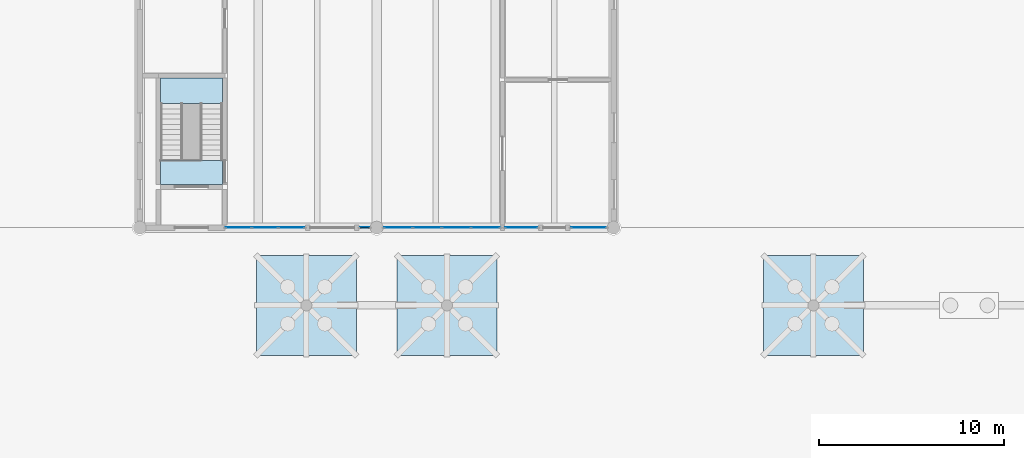
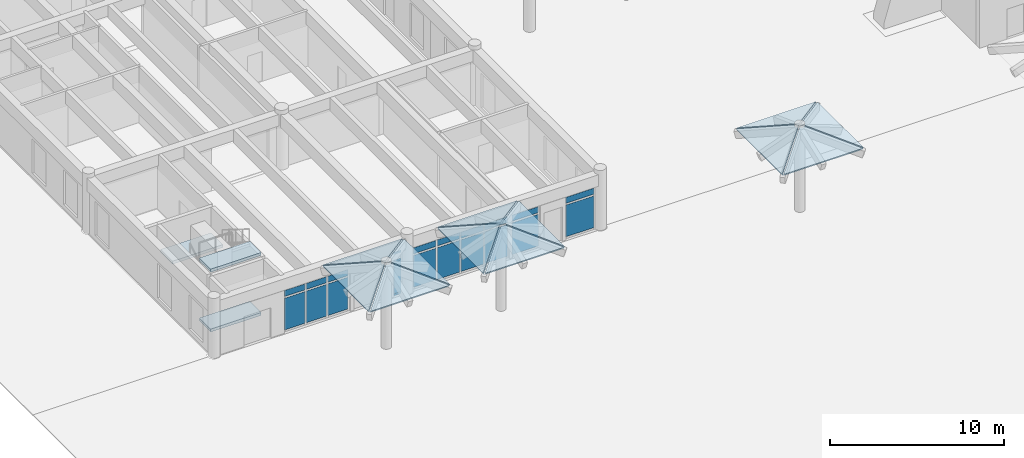
# One storey, part 9 of 28: 19 plates, 15 slabs, 3 members, 6 elements without a shape of their own.
"""IFC4 building model written with IfcOpenShell, lengths in metres."""

from ifc_helpers import new_model, si_unit, direction, frame, origin, origin_2d, place, context, subcontext, project, spatial, polyline, rectangle, outline, extrude, material, layer, layer_set, material_profile, profile_set, type_object, element, aggregate, save


model = new_model("IFC4")

# Units and contexts
model_context = context("Model", 3, precision=1e-05, world=origin(), true_north=direction((0.0, 1.0)))
body_context = subcontext(model_context, "Body", "Model", "MODEL_VIEW")
ifc_project = project(units=[si_unit("LENGTHUNIT", "METRE"), si_unit("AREAUNIT", "SQUARE_METRE"), si_unit("VOLUMEUNIT", "CUBIC_METRE"), si_unit("PLANEANGLEUNIT", "RADIAN"), si_unit("MASSUNIT", "GRAM", prefix="KILO")], contexts=[model_context])

# Site, building, storey
site_placement = place(None, origin())
site = spatial("IfcSite", under=ifc_project, at=site_placement, CompositionType="ELEMENT")
building_placement = place(site_placement, origin())
building = spatial("IfcBuilding", under=site, at=building_placement, Name="Fogon Plaza Fire Station and Headquarters Tower", CompositionType="ELEMENT")
storey_placement = place(building_placement, origin())
storey = spatial("IfcBuildingStorey", under=building, at=storey_placement, Name="L00", CompositionType="ELEMENT", Elevation=0.0)

# Curtain wall, members
ifc_material_1 = material(Name="Aluminium and glass", Category="aluminium")
ifc_layer_1 = layer(ifc_material_1, 0.14990234375)
ifc_layer_set_1 = layer_set([ifc_layer_1], Name="Aluminium and glass")
curtain_wall_type_1 = type_object("IfcCurtainWallType", Name="Unitised Curtain Wall Run 600x3000", PredefinedType="NOTDEFINED", material=ifc_layer_set_1)
curtain_wall_1_placement = place(storey_placement, origin())
curtain_wall_1 = element("IfcCurtainWall", 1, at=curtain_wall_1_placement, inside=storey, type_object=curtain_wall_type_1, Name="CW-600x3000 WS L00", PredefinedType="NOTDEFINED")
ifc_material_2 = material(Name="Aluminium", Category="aluminium")
ifc_material_profile = material_profile(ifc_material_2, rectangle(XDim=0.06005859375, YDim=0.1201171875, at=origin_2d()), Name="Curtain Wall Transom 60x120")
ifc_profile_set = profile_set([ifc_material_profile], Name="Aluminium")
member_type = type_object("IfcMemberType", Name="Curtain Wall Transom 60x120", PredefinedType="USERDEFINED", material=ifc_profile_set)
member_1_placement = place(storey_placement, frame((11.909912109375, 0.0, 0.06005859375), z_axis=(1.0, 0.0, 0.0), x_axis=(0.0, 1.0, 0.0)))
member_1 = element("IfcMember", 2, at=member_1_placement, type_object=member_type, Name="CW-600x3000 transom 1.1", ObjectType="TRANSOM", PredefinedType="USERDEFINED", context=body_context, shape_type="SweptSolid", body=[
    extrude(rectangle(XDim=0.06005859375, YDim=0.1201171875, at=origin_2d()), origin(), (0.0, 0.0, 1.0), 0.47998046875),
])
member_2_placement = place(storey_placement, frame((11.909912109375, 0.0, 2.39990234375), z_axis=(1.0, 0.0, 0.0), x_axis=(0.0, 1.0, 0.0)))
member_2 = element("IfcMember", 3, at=member_2_placement, type_object=member_type, Name="CW-600x3000 transom 1.2", ObjectType="TRANSOM", PredefinedType="USERDEFINED", context=body_context, shape_type="SweptSolid", body=[
    extrude(rectangle(XDim=0.06005859375, YDim=0.1201171875, at=origin_2d()), origin(), (0.0, 0.0, 1.0), 0.47998046875),
])
member_3_placement = place(storey_placement, frame((11.909912109375, 0.0, 2.93994140625), z_axis=(1.0, 0.0, 0.0), x_axis=(0.0, 1.0, 0.0)))
member_3 = element("IfcMember", 4, at=member_3_placement, type_object=member_type, Name="CW-600x3000 transom 1.3", ObjectType="TRANSOM", PredefinedType="USERDEFINED", context=body_context, shape_type="SweptSolid", body=[
    extrude(rectangle(XDim=0.06005859375, YDim=0.1201171875, at=origin_2d()), origin(), (0.0, 0.0, 1.0), 0.47998046875),
])

# Slabs
ifc_material_3 = material(Name="Concrete C40", Category="concrete")
ifc_layer_2 = layer(ifc_material_3, 0.1201171875)
ifc_layer_set_2 = layer_set([ifc_layer_2], Name="Concrete C40")
slab_type_1 = type_object("IfcSlabType", Name="Roof slab 120 R12", PredefinedType="ROOF", material=ifc_layer_set_2)
slab_1_placement = place(storey_placement, frame((6.37060546875, -6.89990234375, 5.0), z_axis=(0.0, -0.347351224218, 0.937735104939), x_axis=(0.684066194854, 0.684002678959, 0.253364907268)))
element("IfcSlab", 5, at=slab_1_placement, inside=storey, type_object=slab_type_1, Name="slab-umb-U1-1", PredefinedType="ROOF", context=body_context, shape_type="SweptSolid", body=[
    extrude(outline(polyline([(0.0, 0.0), (3.843772066254584, 2.7755575615628914e-16), (3.597359823525755, -3.8358655742807746), (0.0, 0.0)])), origin(), (0.0, 0.0, -1.0), 0.1201171875),
])
slab_2_placement = place(storey_placement, frame((11.699951171875, -6.829345703125, 5.0), z_axis=(0.347351224218, 0.0, 0.937735104939), x_axis=(-0.684002678959, 0.684066194854, 0.253364907268)))
element("IfcSlab", 6, at=slab_2_placement, inside=storey, type_object=slab_type_1, Name="slab-umb-U1-2", PredefinedType="ROOF", context=body_context, shape_type="SweptSolid", body=[
    extrude(outline(polyline([(0.0, 0.0), (3.843772066254584, -1.6653345369377348e-16), (3.5971928151774017, -3.8356874932420437), (0.0, 0.0)])), origin(), (0.0, 0.0, -1.0), 0.1201171875),
])
slab_3_placement = place(storey_placement, frame((11.62939453125, -1.5, 5.0), z_axis=(0.0, 0.347322863268, 0.937745609775), x_axis=(-0.684036476126, -0.684036476126, 0.253353900025)))
element("IfcSlab", 7, at=slab_3_placement, inside=storey, type_object=slab_type_1, Name="slab-umb-U1-3", PredefinedType="ROOF", context=body_context, shape_type="SweptSolid", body=[
    extrude(outline(polyline([(0.0, 0.0), (3.8439390632218466, 1.3877787807814457e-16), (3.597203539003341, -3.8360121353889727), (0.0, 0.0)])), origin(), (0.0, 0.0, -1.0), 0.1201171875),
])
slab_4_placement = place(storey_placement, frame((6.300048828125, -1.57080078125, 5.0), z_axis=(-0.347351224218, 0.0, 0.937735104939), x_axis=(0.684032398801, -0.684032398801, 0.253375915945)))
element("IfcSlab", 8, at=slab_4_placement, inside=storey, type_object=slab_type_1, Name="slab-umb-U1-4", PredefinedType="ROOF", context=body_context, shape_type="SweptSolid", body=[
    extrude(outline(polyline([(0.0, 0.0), (3.8436050620316355, -3.3306690738754696e-16), (3.597015097112746, -3.8358541534474866), (0.0, 0.0)])), origin(), (0.0, 0.0, -1.0), 0.1201171875),
])
slab_5_placement = place(storey_placement, frame((13.970703125, -6.89990234375, 5.0), z_axis=(0.0, -0.347351224218, 0.937735104939), x_axis=(0.684066194854, 0.684002678959, 0.253364907268)))
element("IfcSlab", 9, at=slab_5_placement, inside=storey, type_object=slab_type_1, Name="slab-umb-U2-1", PredefinedType="ROOF", context=body_context, shape_type="SweptSolid", body=[
    extrude(outline(polyline([(0.0, 0.0), (3.843772066254584, -1.6653345369377348e-16), (3.5971928151774017, -3.8356874932420437), (0.0, 0.0)])), origin(), (0.0, 0.0, -1.0), 0.1201171875),
])
slab_6_placement = place(storey_placement, frame((19.300048828125, -6.829345703125, 5.0), z_axis=(0.347322863268, 0.0, 0.937745609775), x_axis=(-0.684036476126, 0.684036476126, 0.253353900025)))
element("IfcSlab", 10, at=slab_6_placement, inside=storey, type_object=slab_type_1, Name="slab-umb-U2-2", PredefinedType="ROOF", context=body_context, shape_type="SweptSolid", body=[
    extrude(outline(polyline([(0.0, 0.0), (3.8439390632218466, 1.3877787807814457e-16), (3.597036537910537, -3.835834047546104), (0.0, 0.0)])), origin(), (0.0, 0.0, -1.0), 0.1201171875),
])
for number, where, z_axis, x_axis, name in (
    (11, (19.229248046875, -1.5, 5.0), (0.0, 0.347322863268, 0.937745609775), (-0.684002678959, -0.684066194854, 0.253364907268), "slab-umb-U2-3"),
    (12, (13.89990234375, -1.57080078125, 5.0), (-0.347322863268, 0.0, 0.937745609775), (0.684066194854, -0.684002678959, 0.253364907268), "slab-umb-U2-4"),
):
    element("IfcSlab", number, at=place(storey_placement, frame(where, z_axis=z_axis, x_axis=x_axis)), inside=storey, type_object=slab_type_1, Name=name, PredefinedType="ROOF", context=body_context, shape_type="SweptSolid", body=[
        extrude(outline(polyline([(0.0, 0.0), (3.843772066254584, -3.3306690738754696e-16), (3.596858813987506, -3.836000699637286), (0.0, 0.0)])), origin(), (0.0, 0.0, -1.0), 0.1201171875),
    ])
slab_7_placement = place(storey_placement, frame((33.770751953125, -6.89990234375, 5.0), z_axis=(0.0, -0.347351224218, 0.937735104939), x_axis=(0.684032398801, 0.684032398801, 0.253375915945)))
element("IfcSlab", 13, at=slab_7_placement, inside=storey, type_object=slab_type_1, Name="slab-umb-U3-1", PredefinedType="ROOF", context=body_context, shape_type="SweptSolid", body=[
    extrude(outline(polyline([(0.0, 0.0), (3.8436050620316355, -3.3306690738754696e-16), (3.597015097112746, -3.8358541534474866), (0.0, 0.0)])), origin(), (0.0, 0.0, -1.0), 0.1201171875),
])
for number, where, z_axis, x_axis, name in (
    (14, (39.10009765625, -6.829345703125, 5.0), (0.347322863268, 0.0, 0.937745609775), (-0.684036476126, 0.684036476126, 0.253353900025), "slab-umb-U3-2"),
    (15, (39.029296875, -1.5, 5.0), (0.0, 0.347322863268, 0.937745609775), (-0.684036476126, -0.684036476126, 0.253353900025), "slab-umb-U3-3"),
):
    element("IfcSlab", number, at=place(storey_placement, frame(where, z_axis=z_axis, x_axis=x_axis)), inside=storey, type_object=slab_type_1, Name=name, PredefinedType="ROOF", context=body_context, shape_type="SweptSolid", body=[
        extrude(outline(polyline([(0.0, 0.0), (3.8439390632218466, 1.3877787807814457e-16), (3.597036537910537, -3.835834047546104), (0.0, 0.0)])), origin(), (0.0, 0.0, -1.0), 0.1201171875),
    ])
slab_8_placement = place(storey_placement, frame((33.699951171875, -1.57080078125, 5.0), z_axis=(-0.347322863268, 0.0, 0.937745609775), x_axis=(0.684066194854, -0.684002678959, 0.253364907268)))
element("IfcSlab", 16, at=slab_8_placement, inside=storey, type_object=slab_type_1, Name="slab-umb-U3-4", PredefinedType="ROOF", context=body_context, shape_type="SweptSolid", body=[
    extrude(outline(polyline([(0.0, 0.0), (3.843772066254584, -3.3306690738754696e-16), (3.596858813987506, -3.836000699637286), (0.0, 0.0)])), origin(), (0.0, 0.0, -1.0), 0.1201171875),
])

# Curtain wall, plates
ifc_material_4 = material(Name="Aluminium and glass", Category="aluminium")
ifc_layer_3 = layer(ifc_material_4, 0.14990234375)
ifc_layer_set_3 = layer_set([ifc_layer_3], Name="Aluminium and glass")
curtain_wall_type_2 = type_object("IfcCurtainWallType", Name="Unitised Curtain Wall Run 4350x3000", PredefinedType="NOTDEFINED", material=ifc_layer_set_3)
curtain_wall_2_placement = place(storey_placement, origin())
curtain_wall_2 = element("IfcCurtainWall", 17, at=curtain_wall_2_placement, inside=storey, type_object=curtain_wall_type_2, Name="CW-4350x3000 WS L00", PredefinedType="NOTDEFINED")
ifc_material_5 = material(Name="Low-e double glazing", Category="glass")
ifc_layer_4 = layer(ifc_material_5, 0.028076171875)
ifc_layer_set_4 = layer_set([ifc_layer_4], Name="Low-e double glazing")
plate_type_1 = type_object("IfcPlateType", Name="Vision Glass Panel 1370x2220", PredefinedType="CURTAIN_PANEL", material=ifc_layer_set_4)
plate_1_placement = place(storey_placement, frame((5.344970703125, 0.0, 0.1201171875), z_axis=(0.0, 0.0, 1.0), x_axis=(1.0, 0.0, 0.0)))
plate_1 = element("IfcPlate", 18, at=plate_1_placement, type_object=plate_type_1, Name="VG-1370x2220 panel 1.1", PredefinedType="CURTAIN_PANEL", context=body_context, shape_type="SweptSolid", body=[
    extrude(rectangle(XDim=1.3701171875, YDim=0.028076171875, at=origin_2d()), origin(), (0.0, 0.0, 1.0), 2.219970703125),
])
plate_2_placement = place(storey_placement, frame((6.77490234375, 0.0, 0.1201171875), z_axis=(0.0, 0.0, 1.0), x_axis=(1.0, 0.0, 0.0)))
plate_2 = element("IfcPlate", 19, at=plate_2_placement, type_object=plate_type_1, Name="VG-1370x2220 panel 2.1", PredefinedType="CURTAIN_PANEL", context=body_context, shape_type="SweptSolid", body=[
    extrude(rectangle(XDim=1.3701171875, YDim=0.028076171875, at=origin_2d()), origin(), (0.0, 0.0, 1.0), 2.219970703125),
])
plate_3_placement = place(storey_placement, frame((8.205078125, 0.0, 0.1201171875), z_axis=(0.0, 0.0, 1.0), x_axis=(1.0, 0.0, 0.0)))
plate_3 = element("IfcPlate", 20, at=plate_3_placement, type_object=plate_type_1, Name="VG-1370x2220 panel 3.1", PredefinedType="CURTAIN_PANEL", context=body_context, shape_type="SweptSolid", body=[
    extrude(rectangle(XDim=1.3701171875, YDim=0.028076171875, at=origin_2d()), origin(), (0.0, 0.0, 1.0), 2.219970703125),
])
ifc_material_6 = material(Name="Low-e double glazing", Category="glass")
ifc_layer_5 = layer(ifc_material_6, 0.028076171875)
ifc_layer_set_5 = layer_set([ifc_layer_5], Name="Low-e double glazing")
plate_type_2 = type_object("IfcPlateType", Name="Vision Glass Panel 1370x420", PredefinedType="CURTAIN_PANEL", material=ifc_layer_set_5)
plate_4_placement = place(storey_placement, frame((5.344970703125, 0.0, 2.4599609375), z_axis=(0.0, 0.0, 1.0), x_axis=(1.0, 0.0, 0.0)))
plate_4 = element("IfcPlate", 21, at=plate_4_placement, type_object=plate_type_2, Name="VG-1370x420 panel 1.2", PredefinedType="CURTAIN_PANEL", context=body_context, shape_type="SweptSolid", body=[
    extrude(rectangle(XDim=1.3701171875, YDim=0.028076171875, at=origin_2d()), origin(), (0.0, 0.0, 1.0), 0.419921875),
])
plate_5_placement = place(storey_placement, frame((6.77490234375, 0.0, 2.4599609375), z_axis=(0.0, 0.0, 1.0), x_axis=(1.0, 0.0, 0.0)))
plate_5 = element("IfcPlate", 22, at=plate_5_placement, type_object=plate_type_2, Name="VG-1370x420 panel 2.2", PredefinedType="CURTAIN_PANEL", context=body_context, shape_type="SweptSolid", body=[
    extrude(rectangle(XDim=1.3701171875, YDim=0.028076171875, at=origin_2d()), origin(), (0.0, 0.0, 1.0), 0.419921875),
])
plate_6_placement = place(storey_placement, frame((8.205078125, 0.0, 2.4599609375), z_axis=(0.0, 0.0, 1.0), x_axis=(1.0, 0.0, 0.0)))
plate_6 = element("IfcPlate", 23, at=plate_6_placement, type_object=plate_type_2, Name="VG-1370x420 panel 3.2", PredefinedType="CURTAIN_PANEL", context=body_context, shape_type="SweptSolid", body=[
    extrude(rectangle(XDim=1.3701171875, YDim=0.028076171875, at=origin_2d()), origin(), (0.0, 0.0, 1.0), 0.419921875),
])
aggregate(curtain_wall_2, [plate_1, plate_4, plate_2, plate_5, plate_3, plate_6])

ifc_material_7 = material(Name="Aluminium and glass", Category="aluminium")
ifc_layer_6 = layer(ifc_material_7, 0.14990234375)
ifc_layer_set_6 = layer_set([ifc_layer_6], Name="Aluminium and glass")
curtain_wall_type_3 = type_object("IfcCurtainWallType", Name="Unitised Curtain Wall Run 6350x3000", PredefinedType="NOTDEFINED", material=ifc_layer_set_6)
curtain_wall_3_placement = place(storey_placement, origin())
curtain_wall_3 = element("IfcCurtainWall", 24, at=curtain_wall_3_placement, inside=storey, type_object=curtain_wall_type_3, Name="CW-6350x3000 WS L00", PredefinedType="NOTDEFINED")
ifc_material_8 = material(Name="Low-e double glazing", Category="glass")
ifc_layer_7 = layer(ifc_material_8, 0.028076171875)
ifc_layer_set_7 = layer_set([ifc_layer_7], Name="Low-e double glazing")
plate_type_3 = type_object("IfcPlateType", Name="Vision Glass Panel 1512x2220", PredefinedType="CURTAIN_PANEL", material=ifc_layer_set_7)
plate_7_placement = place(storey_placement, frame((13.96630859375, 0.0, 0.1201171875), z_axis=(0.0, 0.0, 1.0), x_axis=(1.0, 0.0, 0.0)))
plate_7 = element("IfcPlate", 25, at=plate_7_placement, type_object=plate_type_3, Name="VG-1512x2220 panel 1.1", PredefinedType="CURTAIN_PANEL", context=body_context, shape_type="SweptSolid", body=[
    extrude(rectangle(XDim=1.512451171875, YDim=0.028076171875, at=origin_2d()), origin(), (0.0, 0.0, 1.0), 2.219970703125),
])
plate_8_placement = place(storey_placement, frame((15.538818359375, 0.0, 0.1201171875), z_axis=(0.0, 0.0, 1.0), x_axis=(1.0, 0.0, 0.0)))
plate_8 = element("IfcPlate", 26, at=plate_8_placement, type_object=plate_type_3, Name="VG-1512x2220 panel 2.1", PredefinedType="CURTAIN_PANEL", context=body_context, shape_type="SweptSolid", body=[
    extrude(rectangle(XDim=1.512451171875, YDim=0.028076171875, at=origin_2d()), origin(), (0.0, 0.0, 1.0), 2.219970703125),
])
plate_9_placement = place(storey_placement, frame((17.111328125, 0.0, 0.1201171875), z_axis=(0.0, 0.0, 1.0), x_axis=(1.0, 0.0, 0.0)))
plate_9 = element("IfcPlate", 27, at=plate_9_placement, type_object=plate_type_3, Name="VG-1512x2220 panel 3.1", PredefinedType="CURTAIN_PANEL", context=body_context, shape_type="SweptSolid", body=[
    extrude(rectangle(XDim=1.512451171875, YDim=0.028076171875, at=origin_2d()), origin(), (0.0, 0.0, 1.0), 2.219970703125),
])
plate_10_placement = place(storey_placement, frame((18.683837890625, 0.0, 0.1201171875), z_axis=(0.0, 0.0, 1.0), x_axis=(1.0, 0.0, 0.0)))
plate_10 = element("IfcPlate", 28, at=plate_10_placement, type_object=plate_type_3, Name="VG-1512x2220 panel 4.1", PredefinedType="CURTAIN_PANEL", context=body_context, shape_type="SweptSolid", body=[
    extrude(rectangle(XDim=1.512451171875, YDim=0.028076171875, at=origin_2d()), origin(), (0.0, 0.0, 1.0), 2.219970703125),
])
ifc_material_9 = material(Name="Low-e double glazing", Category="glass")
ifc_layer_8 = layer(ifc_material_9, 0.028076171875)
ifc_layer_set_8 = layer_set([ifc_layer_8], Name="Low-e double glazing")
plate_type_4 = type_object("IfcPlateType", Name="Vision Glass Panel 1512x420", PredefinedType="CURTAIN_PANEL", material=ifc_layer_set_8)
plate_11_placement = place(storey_placement, frame((13.96630859375, 0.0, 2.4599609375), z_axis=(0.0, 0.0, 1.0), x_axis=(1.0, 0.0, 0.0)))
plate_11 = element("IfcPlate", 29, at=plate_11_placement, type_object=plate_type_4, Name="VG-1512x420 panel 1.2", PredefinedType="CURTAIN_PANEL", context=body_context, shape_type="SweptSolid", body=[
    extrude(rectangle(XDim=1.512451171875, YDim=0.028076171875, at=origin_2d()), origin(), (0.0, 0.0, 1.0), 0.419921875),
])
plate_12_placement = place(storey_placement, frame((15.538818359375, 0.0, 2.4599609375), z_axis=(0.0, 0.0, 1.0), x_axis=(1.0, 0.0, 0.0)))
plate_12 = element("IfcPlate", 30, at=plate_12_placement, type_object=plate_type_4, Name="VG-1512x420 panel 2.2", PredefinedType="CURTAIN_PANEL", context=body_context, shape_type="SweptSolid", body=[
    extrude(rectangle(XDim=1.512451171875, YDim=0.028076171875, at=origin_2d()), origin(), (0.0, 0.0, 1.0), 0.419921875),
])
plate_13_placement = place(storey_placement, frame((17.111328125, 0.0, 2.4599609375), z_axis=(0.0, 0.0, 1.0), x_axis=(1.0, 0.0, 0.0)))
plate_13 = element("IfcPlate", 31, at=plate_13_placement, type_object=plate_type_4, Name="VG-1512x420 panel 3.2", PredefinedType="CURTAIN_PANEL", context=body_context, shape_type="SweptSolid", body=[
    extrude(rectangle(XDim=1.512451171875, YDim=0.028076171875, at=origin_2d()), origin(), (0.0, 0.0, 1.0), 0.419921875),
])
plate_14_placement = place(storey_placement, frame((18.683837890625, 0.0, 2.4599609375), z_axis=(0.0, 0.0, 1.0), x_axis=(1.0, 0.0, 0.0)))
plate_14 = element("IfcPlate", 32, at=plate_14_placement, type_object=plate_type_4, Name="VG-1512x420 panel 4.2", PredefinedType="CURTAIN_PANEL", context=body_context, shape_type="SweptSolid", body=[
    extrude(rectangle(XDim=1.512451171875, YDim=0.028076171875, at=origin_2d()), origin(), (0.0, 0.0, 1.0), 0.419921875),
])
aggregate(curtain_wall_3, [plate_7, plate_11, plate_8, plate_12, plate_9, plate_13, plate_10, plate_14])

ifc_material_10 = material(Name="Aluminium and glass", Category="aluminium")
ifc_layer_9 = layer(ifc_material_10, 0.14990234375)
ifc_layer_set_9 = layer_set([ifc_layer_9], Name="Aluminium and glass")
curtain_wall_type_4 = type_object("IfcCurtainWallType", Name="Unitised Curtain Wall Run 1850x3000", PredefinedType="NOTDEFINED", material=ifc_layer_set_9)
curtain_wall_4_placement = place(storey_placement, origin())
curtain_wall_4 = element("IfcCurtainWall", 33, at=curtain_wall_4_placement, inside=storey, type_object=curtain_wall_type_4, Name="CW-1850x3000 WS L00", PredefinedType="NOTDEFINED")
ifc_material_11 = material(Name="Low-e double glazing", Category="glass")
ifc_layer_10 = layer(ifc_material_11, 0.028076171875)
ifc_layer_set_10 = layer_set([ifc_layer_10], Name="Low-e double glazing")
plate_type_5 = type_object("IfcPlateType", Name="Vision Glass Panel 1730x2220", PredefinedType="CURTAIN_PANEL", material=ifc_layer_set_10)
plate_15_placement = place(storey_placement, frame((20.625, 0.0, 0.1201171875), z_axis=(0.0, 0.0, 1.0), x_axis=(1.0, 0.0, 0.0)))
plate_15 = element("IfcPlate", 34, at=plate_15_placement, type_object=plate_type_5, Name="VG-1730x2220 panel 1.1", PredefinedType="CURTAIN_PANEL", context=body_context, shape_type="SweptSolid", body=[
    extrude(rectangle(XDim=1.72998046875, YDim=0.028076171875, at=origin_2d()), origin(), (0.0, 0.0, 1.0), 2.219970703125),
])
ifc_material_12 = material(Name="Low-e double glazing", Category="glass")
ifc_layer_11 = layer(ifc_material_12, 0.028076171875)
ifc_layer_set_11 = layer_set([ifc_layer_11], Name="Low-e double glazing")
plate_type_6 = type_object("IfcPlateType", Name="Vision Glass Panel 1730x420", PredefinedType="CURTAIN_PANEL", material=ifc_layer_set_11)
plate_16_placement = place(storey_placement, frame((20.625, 0.0, 2.4599609375), z_axis=(0.0, 0.0, 1.0), x_axis=(1.0, 0.0, 0.0)))
plate_16 = element("IfcPlate", 35, at=plate_16_placement, type_object=plate_type_6, Name="VG-1730x420 panel 1.2", PredefinedType="CURTAIN_PANEL", context=body_context, shape_type="SweptSolid", body=[
    extrude(rectangle(XDim=1.72998046875, YDim=0.028076171875, at=origin_2d()), origin(), (0.0, 0.0, 1.0), 0.419921875),
])
aggregate(curtain_wall_4, [plate_15, plate_16])

ifc_material_13 = material(Name="Aluminium and glass", Category="aluminium")
ifc_layer_12 = layer(ifc_material_13, 0.14990234375)
ifc_layer_set_12 = layer_set([ifc_layer_12], Name="Aluminium and glass")
curtain_wall_type_5 = type_object("IfcCurtainWallType", Name="Unitised Curtain Wall Run 2000x3000", PredefinedType="NOTDEFINED", material=ifc_layer_set_12)
curtain_wall_5_placement = place(storey_placement, origin())
curtain_wall_5 = element("IfcCurtainWall", 36, at=curtain_wall_5_placement, inside=storey, type_object=curtain_wall_type_5, Name="CW-2000x3000 WS L00", PredefinedType="NOTDEFINED")
ifc_material_14 = material(Name="Low-e double glazing", Category="glass")
ifc_layer_13 = layer(ifc_material_14, 0.028076171875)
ifc_layer_set_13 = layer_set([ifc_layer_13], Name="Low-e double glazing")
plate_type_7 = type_object("IfcPlateType", Name="Vision Glass Panel 1880x2220", PredefinedType="CURTAIN_PANEL", material=ifc_layer_set_13)
plate_17_placement = place(storey_placement, frame((24.25, 0.0, 0.1201171875), z_axis=(0.0, 0.0, 1.0), x_axis=(1.0, 0.0, 0.0)))
plate_17 = element("IfcPlate", 37, at=plate_17_placement, type_object=plate_type_7, Name="VG-1880x2220 panel 1.1", PredefinedType="CURTAIN_PANEL", context=body_context, shape_type="SweptSolid", body=[
    extrude(rectangle(XDim=1.8798828125, YDim=0.028076171875, at=origin_2d()), origin(), (0.0, 0.0, 1.0), 2.219970703125),
])
ifc_material_15 = material(Name="Low-e double glazing", Category="glass")
ifc_layer_14 = layer(ifc_material_15, 0.028076171875)
ifc_layer_set_14 = layer_set([ifc_layer_14], Name="Low-e double glazing")
plate_type_8 = type_object("IfcPlateType", Name="Vision Glass Panel 1880x420", PredefinedType="CURTAIN_PANEL", material=ifc_layer_set_14)
plate_18_placement = place(storey_placement, frame((24.25, 0.0, 2.4599609375), z_axis=(0.0, 0.0, 1.0), x_axis=(1.0, 0.0, 0.0)))
plate_18 = element("IfcPlate", 38, at=plate_18_placement, type_object=plate_type_8, Name="VG-1880x420 panel 1.2", PredefinedType="CURTAIN_PANEL", context=body_context, shape_type="SweptSolid", body=[
    extrude(rectangle(XDim=1.8798828125, YDim=0.028076171875, at=origin_2d()), origin(), (0.0, 0.0, 1.0), 0.419921875),
])
aggregate(curtain_wall_5, [plate_17, plate_18])

# Plate
ifc_material_16 = material(Name="Low-e double glazing", Category="glass")
ifc_layer_15 = layer(ifc_material_16, 0.028076171875)
ifc_layer_set_15 = layer_set([ifc_layer_15], Name="Low-e double glazing")
plate_type_9 = type_object("IfcPlateType", Name="Vision Glass Panel 480x2220", PredefinedType="CURTAIN_PANEL", material=ifc_layer_set_15)
plate_19_placement = place(storey_placement, frame((12.14990234375, 0.0, 0.1201171875), z_axis=(0.0, 0.0, 1.0), x_axis=(1.0, 0.0, 0.0)))
plate_19 = element("IfcPlate", 39, at=plate_19_placement, type_object=plate_type_9, Name="VG-480x2220 panel 1.1", PredefinedType="CURTAIN_PANEL", context=body_context, shape_type="SweptSolid", body=[
    extrude(rectangle(XDim=0.47998046875, YDim=0.028076171875, at=origin_2d()), origin(), (0.0, 0.0, 1.0), 2.219970703125),
])

aggregate(curtain_wall_1, [member_1, member_2, member_3, plate_19])

# Stair, slabs
ifc_material_17 = material(Name="Concrete C40", Category="concrete")
stair_type = type_object("IfcStairType", Name="Wing Stair 1200", PredefinedType="HALF_TURN_STAIR", material=ifc_material_17)
stair_placement = place(storey_placement, origin())
stair = element("IfcStair", 40, at=stair_placement, inside=storey, type_object=stair_type, Name="ST6", PredefinedType="HALF_TURN_STAIR")
ifc_material_18 = material(Name="Concrete C40", Category="concrete")
ifc_layer_16 = layer(ifc_material_18, 0.199951171875)
ifc_layer_set_16 = layer_set([ifc_layer_16], Name="Concrete C40")
slab_type_2 = type_object("IfcSlabType", Name="Wing Stair Landing 200", PredefinedType="LANDING", material=ifc_layer_set_16)
slab_9_placement = place(storey_placement, frame((0.0, 0.0, -0.199951171875)))
slab_9 = element("IfcSlab", 41, at=slab_9_placement, type_object=slab_type_2, Name="ST6 landing 1", PredefinedType="LANDING", context=body_context, shape_type="SweptSolid", body=[
    extrude(outline(polyline([(1.125, 2.324951171875), (4.47509765625, 2.324951171875), (4.47509765625, 3.625), (1.125, 3.625), (1.125, 2.324951171875)])), origin(), (0.0, 0.0, 1.0), 0.199951171875),
])
slab_10_placement = place(storey_placement, frame((0.0, 0.0, 1.89990234375)))
slab_10 = element("IfcSlab", 42, at=slab_10_placement, type_object=slab_type_2, Name="ST6 landing 2", PredefinedType="LANDING", context=body_context, shape_type="SweptSolid", body=[
    extrude(outline(polyline([(1.125, 6.705078125), (4.47509765625, 6.705078125), (4.47509765625, 8.074951171875), (1.125, 8.074951171875), (1.125, 6.705078125)])), origin(), (0.0, 0.0, 1.0), 0.2001953125),
])
slab_11_placement = place(storey_placement, frame((0.0, 0.0, 4.0)))
slab_11 = element("IfcSlab", 43, at=slab_11_placement, type_object=slab_type_2, Name="ST6 landing 3", PredefinedType="LANDING", context=body_context, shape_type="SweptSolid", body=[
    extrude(outline(polyline([(1.125, 2.324951171875), (4.47509765625, 2.324951171875), (4.47509765625, 3.625), (1.125, 3.625), (1.125, 2.324951171875)])), origin(), (0.0, 0.0, 1.0), 0.199951171875),
])
aggregate(stair, [slab_9, slab_10, slab_11])

save(model, "model.ifc")
